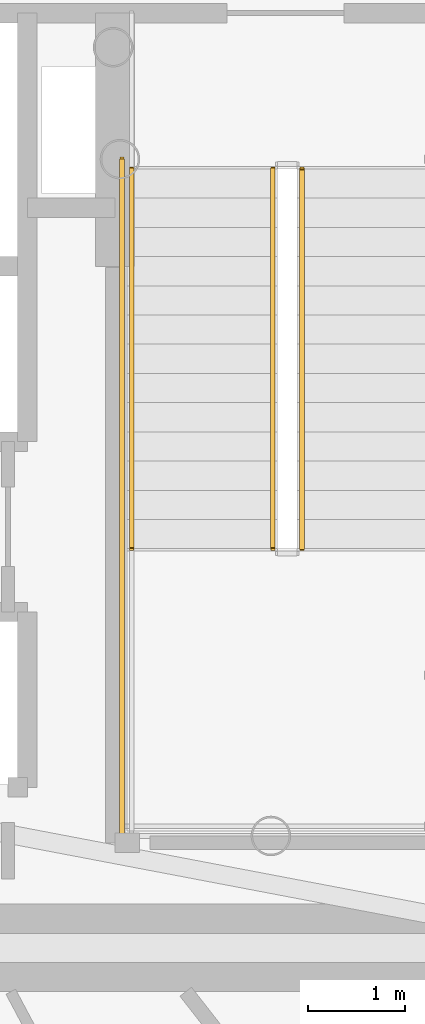
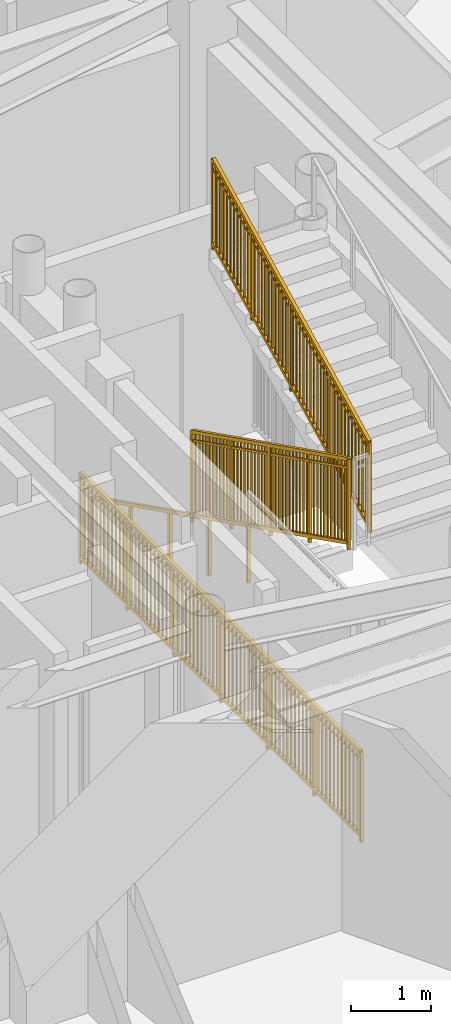
# One storey, part 26 of 28: 4 railings.
"""IFC4 building model written with IfcOpenShell, lengths in metres."""

from ifc_helpers import new_model, si_unit, direction, frame, origin, origin_2d, place, context, subcontext, project, spatial, rectangle, extrude, source, transform, mapped, material, type_object, element, save


model = new_model("IFC4")

# Units and contexts
model_context = context("Model", 3, precision=1e-05, world=origin(), true_north=direction((0.0, 1.0)))
body_context = subcontext(model_context, "Body", "Model", "MODEL_VIEW")
ifc_project = project(units=[si_unit("LENGTHUNIT", "METRE"), si_unit("AREAUNIT", "SQUARE_METRE"), si_unit("VOLUMEUNIT", "CUBIC_METRE"), si_unit("PLANEANGLEUNIT", "RADIAN"), si_unit("MASSUNIT", "GRAM", prefix="KILO")], contexts=[model_context])

# Site, building, storey
site_placement = place(None, origin())
site = spatial("IfcSite", under=ifc_project, at=site_placement, CompositionType="ELEMENT")
building_placement = place(site_placement, origin())
building = spatial("IfcBuilding", under=site, at=building_placement, Name="Linh Dai School and Residence Tower", CompositionType="ELEMENT")
storey_placement = place(building_placement, frame((0.0, 0.0, 57.60009765625)))
storey = spatial("IfcBuildingStorey", under=building, at=storey_placement, Name="L13", CompositionType="ELEMENT", Elevation=57.60009765625)

# Railings
ifc_material_1 = material(Name="Structural Steel S355JR", Category="steel")
railing_type_1 = type_object("IfcRailingType", Name="RL-ST-GUARD-1400", PredefinedType="GUARDRAIL", material=ifc_material_1)
shared_shape_1 = source(origin(), body_context, "Body", "SweptSolid", [
    extrude(rectangle(XDim=0.048095703125, YDim=0.048095703125, at=origin_2d()), frame((0.0, 0.0, 1.3759765625), z_axis=(0.0, -1.0, 0.0), x_axis=(1.0, 0.0, 0.0)), (0.0, 0.0, 1.0), 7.0),
    extrude(rectangle(XDim=0.048095703125, YDim=0.048095703125, at=origin_2d()), frame((0.0, 0.0, 0.10009765625), z_axis=(0.0, -1.0, 0.0), x_axis=(1.0, 0.0, 0.0)), (0.0, 0.0, 1.0), 7.0),
    extrude(rectangle(XDim=0.030029296875, YDim=0.030029296875, at=origin_2d()), frame((0.0, 0.0, 1.239990234375), z_axis=(0.0, -1.0, 0.0), x_axis=(1.0, 0.0, 0.0)), (0.0, 0.0, 1.0), 7.0),
    extrude(rectangle(XDim=0.02001953125, YDim=0.02001953125, at=origin_2d()), frame((0.0, -0.09716796875, 0.10009765625)), (0.0, 0.0, 1.0), 1.251708984375),
    extrude(rectangle(XDim=0.02001953125, YDim=0.02001953125, at=origin_2d()), frame((0.0, -0.1943359375, 0.10009765625)), (0.0, 0.0, 1.0), 1.251708984375),
    extrude(rectangle(XDim=0.02001953125, YDim=0.02001953125, at=origin_2d()), frame((0.0, -0.291748046875, 0.10009765625)), (0.0, 0.0, 1.0), 1.251708984375),
    extrude(rectangle(XDim=0.02001953125, YDim=0.02001953125, at=origin_2d()), frame((0.0, -0.388916015625, 0.10009765625)), (0.0, 0.0, 1.0), 1.251708984375),
    extrude(rectangle(XDim=0.02001953125, YDim=0.02001953125, at=origin_2d()), frame((0.0, -0.486083984375, 0.10009765625)), (0.0, 0.0, 1.0), 1.251708984375),
    extrude(rectangle(XDim=0.02001953125, YDim=0.02001953125, at=origin_2d()), frame((0.0, -0.583251953125, 0.10009765625)), (0.0, 0.0, 1.0), 1.251708984375),
    extrude(rectangle(XDim=0.02001953125, YDim=0.02001953125, at=origin_2d()), frame((0.0, -0.6806640625, 0.10009765625)), (0.0, 0.0, 1.0), 1.251708984375),
    extrude(rectangle(XDim=0.02001953125, YDim=0.02001953125, at=origin_2d()), frame((0.0, -0.77783203125, 0.10009765625)), (0.0, 0.0, 1.0), 1.251708984375),
    extrude(rectangle(XDim=0.02001953125, YDim=0.02001953125, at=origin_2d()), frame((0.0, -0.875, 0.10009765625)), (0.0, 0.0, 1.0), 1.251708984375),
    extrude(rectangle(XDim=0.02001953125, YDim=0.02001953125, at=origin_2d()), frame((0.0, -0.97216796875, 0.10009765625)), (0.0, 0.0, 1.0), 1.251708984375),
    extrude(rectangle(XDim=0.02001953125, YDim=0.02001953125, at=origin_2d()), frame((0.0, -1.0693359375, 0.10009765625)), (0.0, 0.0, 1.0), 1.251708984375),
    extrude(rectangle(XDim=0.02001953125, YDim=0.02001953125, at=origin_2d()), frame((0.0, -1.263916015625, 0.10009765625)), (0.0, 0.0, 1.0), 1.251708984375),
    extrude(rectangle(XDim=0.02001953125, YDim=0.02001953125, at=origin_2d()), frame((0.0, -1.361083984375, 0.10009765625)), (0.0, 0.0, 1.0), 1.251708984375),
    extrude(rectangle(XDim=0.02001953125, YDim=0.02001953125, at=origin_2d()), frame((0.0, -1.458251953125, 0.10009765625)), (0.0, 0.0, 1.0), 1.251708984375),
    extrude(rectangle(XDim=0.02001953125, YDim=0.02001953125, at=origin_2d()), frame((0.0, -1.5556640625, 0.10009765625)), (0.0, 0.0, 1.0), 1.251708984375),
    extrude(rectangle(XDim=0.02001953125, YDim=0.02001953125, at=origin_2d()), frame((0.0, -1.65283203125, 0.10009765625)), (0.0, 0.0, 1.0), 1.251708984375),
    extrude(rectangle(XDim=0.02001953125, YDim=0.02001953125, at=origin_2d()), frame((0.0, -1.75, 0.10009765625)), (0.0, 0.0, 1.0), 1.251708984375),
    extrude(rectangle(XDim=0.02001953125, YDim=0.02001953125, at=origin_2d()), frame((0.0, -1.84716796875, 0.10009765625)), (0.0, 0.0, 1.0), 1.251708984375),
    extrude(rectangle(XDim=0.02001953125, YDim=0.02001953125, at=origin_2d()), frame((0.0, -1.9443359375, 0.10009765625)), (0.0, 0.0, 1.0), 1.251708984375),
    extrude(rectangle(XDim=0.02001953125, YDim=0.02001953125, at=origin_2d()), frame((0.0, -2.041748046875, 0.10009765625)), (0.0, 0.0, 1.0), 1.251708984375),
    extrude(rectangle(XDim=0.02001953125, YDim=0.02001953125, at=origin_2d()), frame((0.0, -2.138916015625, 0.10009765625)), (0.0, 0.0, 1.0), 1.251708984375),
    extrude(rectangle(XDim=0.02001953125, YDim=0.02001953125, at=origin_2d()), frame((0.0, -2.236083984375, 0.10009765625)), (0.0, 0.0, 1.0), 1.251708984375),
    extrude(rectangle(XDim=0.02001953125, YDim=0.02001953125, at=origin_2d()), frame((0.0, -2.4306640625, 0.10009765625)), (0.0, 0.0, 1.0), 1.251708984375),
    extrude(rectangle(XDim=0.02001953125, YDim=0.02001953125, at=origin_2d()), frame((0.0, -2.52783203125, 0.10009765625)), (0.0, 0.0, 1.0), 1.251708984375),
    extrude(rectangle(XDim=0.02001953125, YDim=0.02001953125, at=origin_2d()), frame((0.0, -2.625, 0.10009765625)), (0.0, 0.0, 1.0), 1.251708984375),
    extrude(rectangle(XDim=0.02001953125, YDim=0.02001953125, at=origin_2d()), frame((0.0, -2.72216796875, 0.10009765625)), (0.0, 0.0, 1.0), 1.251708984375),
    extrude(rectangle(XDim=0.02001953125, YDim=0.02001953125, at=origin_2d()), frame((0.0, -2.8193359375, 0.10009765625)), (0.0, 0.0, 1.0), 1.251708984375),
    extrude(rectangle(XDim=0.02001953125, YDim=0.02001953125, at=origin_2d()), frame((0.0, -2.916748046875, 0.10009765625)), (0.0, 0.0, 1.0), 1.251708984375),
    extrude(rectangle(XDim=0.02001953125, YDim=0.02001953125, at=origin_2d()), frame((0.0, -3.013916015625, 0.10009765625)), (0.0, 0.0, 1.0), 1.251708984375),
    extrude(rectangle(XDim=0.02001953125, YDim=0.02001953125, at=origin_2d()), frame((0.0, -3.111083984375, 0.10009765625)), (0.0, 0.0, 1.0), 1.251708984375),
    extrude(rectangle(XDim=0.02001953125, YDim=0.02001953125, at=origin_2d()), frame((0.0, -3.208251953125, 0.10009765625)), (0.0, 0.0, 1.0), 1.251708984375),
    extrude(rectangle(XDim=0.02001953125, YDim=0.02001953125, at=origin_2d()), frame((0.0, -3.3056640625, 0.10009765625)), (0.0, 0.0, 1.0), 1.251708984375),
    extrude(rectangle(XDim=0.02001953125, YDim=0.02001953125, at=origin_2d()), frame((0.0, -3.40283203125, 0.10009765625)), (0.0, 0.0, 1.0), 1.251708984375),
    extrude(rectangle(XDim=0.02001953125, YDim=0.02001953125, at=origin_2d()), frame((0.0, -3.59716796875, 0.10009765625)), (0.0, 0.0, 1.0), 1.251708984375),
    extrude(rectangle(XDim=0.02001953125, YDim=0.02001953125, at=origin_2d()), frame((0.0, -3.6943359375, 0.10009765625)), (0.0, 0.0, 1.0), 1.251708984375),
    extrude(rectangle(XDim=0.02001953125, YDim=0.02001953125, at=origin_2d()), frame((0.0, -3.791748046875, 0.10009765625)), (0.0, 0.0, 1.0), 1.251708984375),
    extrude(rectangle(XDim=0.02001953125, YDim=0.02001953125, at=origin_2d()), frame((0.0, -3.888916015625, 0.10009765625)), (0.0, 0.0, 1.0), 1.251708984375),
    extrude(rectangle(XDim=0.02001953125, YDim=0.02001953125, at=origin_2d()), frame((0.0, -3.986083984375, 0.10009765625)), (0.0, 0.0, 1.0), 1.251708984375),
    extrude(rectangle(XDim=0.02001953125, YDim=0.02001953125, at=origin_2d()), frame((0.0, -4.083251953125, 0.10009765625)), (0.0, 0.0, 1.0), 1.251708984375),
    extrude(rectangle(XDim=0.02001953125, YDim=0.02001953125, at=origin_2d()), frame((0.0, -4.1806640625, 0.10009765625)), (0.0, 0.0, 1.0), 1.251708984375),
    extrude(rectangle(XDim=0.02001953125, YDim=0.02001953125, at=origin_2d()), frame((0.0, -4.27783203125, 0.10009765625)), (0.0, 0.0, 1.0), 1.251708984375),
    extrude(rectangle(XDim=0.02001953125, YDim=0.02001953125, at=origin_2d()), frame((0.0, -4.375, 0.10009765625)), (0.0, 0.0, 1.0), 1.251708984375),
    extrude(rectangle(XDim=0.02001953125, YDim=0.02001953125, at=origin_2d()), frame((0.0, -4.47216796875, 0.10009765625)), (0.0, 0.0, 1.0), 1.251708984375),
    extrude(rectangle(XDim=0.02001953125, YDim=0.02001953125, at=origin_2d()), frame((0.0, -4.5693359375, 0.10009765625)), (0.0, 0.0, 1.0), 1.251708984375),
    extrude(rectangle(XDim=0.02001953125, YDim=0.02001953125, at=origin_2d()), frame((0.0, -4.763916015625, 0.10009765625)), (0.0, 0.0, 1.0), 1.251708984375),
    extrude(rectangle(XDim=0.02001953125, YDim=0.02001953125, at=origin_2d()), frame((0.0, -4.861083984375, 0.10009765625)), (0.0, 0.0, 1.0), 1.251708984375),
    extrude(rectangle(XDim=0.02001953125, YDim=0.02001953125, at=origin_2d()), frame((0.0, -4.958251953125, 0.10009765625)), (0.0, 0.0, 1.0), 1.251708984375),
    extrude(rectangle(XDim=0.02001953125, YDim=0.02001953125, at=origin_2d()), frame((0.0, -5.0556640625, 0.10009765625)), (0.0, 0.0, 1.0), 1.251708984375),
    extrude(rectangle(XDim=0.02001953125, YDim=0.02001953125, at=origin_2d()), frame((0.0, -5.15283203125, 0.10009765625)), (0.0, 0.0, 1.0), 1.251708984375),
    extrude(rectangle(XDim=0.02001953125, YDim=0.02001953125, at=origin_2d()), frame((0.0, -5.25, 0.10009765625)), (0.0, 0.0, 1.0), 1.251708984375),
    extrude(rectangle(XDim=0.02001953125, YDim=0.02001953125, at=origin_2d()), frame((0.0, -5.34716796875, 0.10009765625)), (0.0, 0.0, 1.0), 1.251708984375),
    extrude(rectangle(XDim=0.02001953125, YDim=0.02001953125, at=origin_2d()), frame((0.0, -5.4443359375, 0.10009765625)), (0.0, 0.0, 1.0), 1.251708984375),
    extrude(rectangle(XDim=0.02001953125, YDim=0.02001953125, at=origin_2d()), frame((0.0, -5.541748046875, 0.10009765625)), (0.0, 0.0, 1.0), 1.251708984375),
    extrude(rectangle(XDim=0.02001953125, YDim=0.02001953125, at=origin_2d()), frame((0.0, -5.638916015625, 0.10009765625)), (0.0, 0.0, 1.0), 1.251708984375),
    extrude(rectangle(XDim=0.02001953125, YDim=0.02001953125, at=origin_2d()), frame((0.0, -5.736083984375, 0.10009765625)), (0.0, 0.0, 1.0), 1.251708984375),
    extrude(rectangle(XDim=0.02001953125, YDim=0.02001953125, at=origin_2d()), frame((0.0, -5.9306640625, 0.10009765625)), (0.0, 0.0, 1.0), 1.251708984375),
    extrude(rectangle(XDim=0.02001953125, YDim=0.02001953125, at=origin_2d()), frame((0.0, -6.02783203125, 0.10009765625)), (0.0, 0.0, 1.0), 1.251708984375),
    extrude(rectangle(XDim=0.02001953125, YDim=0.02001953125, at=origin_2d()), frame((0.0, -6.125, 0.10009765625)), (0.0, 0.0, 1.0), 1.251708984375),
    extrude(rectangle(XDim=0.02001953125, YDim=0.02001953125, at=origin_2d()), frame((0.0, -6.22216796875, 0.10009765625)), (0.0, 0.0, 1.0), 1.251708984375),
    extrude(rectangle(XDim=0.02001953125, YDim=0.02001953125, at=origin_2d()), frame((0.0, -6.3193359375, 0.10009765625)), (0.0, 0.0, 1.0), 1.251708984375),
    extrude(rectangle(XDim=0.02001953125, YDim=0.02001953125, at=origin_2d()), frame((0.0, -6.416748046875, 0.10009765625)), (0.0, 0.0, 1.0), 1.251708984375),
    extrude(rectangle(XDim=0.02001953125, YDim=0.02001953125, at=origin_2d()), frame((0.0, -6.513916015625, 0.10009765625)), (0.0, 0.0, 1.0), 1.251708984375),
    extrude(rectangle(XDim=0.02001953125, YDim=0.02001953125, at=origin_2d()), frame((0.0, -6.611083984375, 0.10009765625)), (0.0, 0.0, 1.0), 1.251708984375),
    extrude(rectangle(XDim=0.02001953125, YDim=0.02001953125, at=origin_2d()), frame((0.0, -6.708251953125, 0.10009765625)), (0.0, 0.0, 1.0), 1.251708984375),
    extrude(rectangle(XDim=0.02001953125, YDim=0.02001953125, at=origin_2d()), frame((0.0, -6.8056640625, 0.10009765625)), (0.0, 0.0, 1.0), 1.251708984375),
    extrude(rectangle(XDim=0.02001953125, YDim=0.02001953125, at=origin_2d()), frame((0.0, -6.90283203125, 0.10009765625)), (0.0, 0.0, 1.0), 1.251708984375),
    extrude(rectangle(XDim=0.0419921875, YDim=0.0419921875, at=origin_2d()), origin(), (0.0, 0.0, 1.0), 1.3759765625),
    extrude(rectangle(XDim=0.0419921875, YDim=0.0419921875, at=origin_2d()), frame((0.0, -1.166748046875, 0.0)), (0.0, 0.0, 1.0), 1.3759765625),
    extrude(rectangle(XDim=0.0419921875, YDim=0.0419921875, at=origin_2d()), frame((0.0, -2.333251953125, 0.0)), (0.0, 0.0, 1.0), 1.3759765625),
    extrude(rectangle(XDim=0.0419921875, YDim=0.0419921875, at=origin_2d()), frame((0.0, -3.5, 0.0)), (0.0, 0.0, 1.0), 1.3759765625),
    extrude(rectangle(XDim=0.0419921875, YDim=0.0419921875, at=origin_2d()), frame((0.0, -4.666748046875, 0.0)), (0.0, 0.0, 1.0), 1.3759765625),
    extrude(rectangle(XDim=0.0419921875, YDim=0.0419921875, at=origin_2d()), frame((0.0, -5.833251953125, 0.0)), (0.0, 0.0, 1.0), 1.3759765625),
    extrude(rectangle(XDim=0.0419921875, YDim=0.0419921875, at=origin_2d()), frame((0.0, -7.0, 0.0)), (0.0, 0.0, 1.0), 1.3759765625),
])
railing_1_placement = place(storey_placement, frame((40.969970703125, 28.35009765625, 0.0)))
element("IfcRailing", 1, at=railing_1_placement, inside=storey, type_object=railing_type_1, Name="L13 ST2 stair guard 10", PredefinedType="GUARDRAIL", context=body_context, shape_type="MappedRepresentation", body=[
    mapped(shared_shape_1, transform((0.0, 0.0, 0.0), x_axis=(1.0, 0.0, 0.0), y_axis=(0.0, 1.0, 0.0), z_axis=(0.0, 0.0, 1.0), scale=1.0)),
])
shared_shape_2 = source(origin(), body_context, "Body", "SweptSolid", [
    extrude(rectangle(XDim=0.048095703125, YDim=0.048095703125, at=origin_2d()), frame((0.0, 0.0, 1.3759765625), z_axis=(0.0, 0.894427191, 0.4472135955), x_axis=(-1.0, 0.0, 0.0)), (0.0, 0.0, 1.0), 4.360107421875),
    extrude(rectangle(XDim=0.048095703125, YDim=0.048095703125, at=origin_2d()), frame((0.0, 0.0, 0.10009765625), z_axis=(0.0, 0.894427191, 0.4472135955), x_axis=(-1.0, 0.0, 0.0)), (0.0, 0.0, 1.0), 4.360107421875),
    extrude(rectangle(XDim=0.030029296875, YDim=0.030029296875, at=origin_2d()), frame((0.0, 0.0, 1.239990234375), z_axis=(0.0, 0.894427191, 0.4472135955), x_axis=(-1.0, 0.0, 0.0)), (0.0, 0.0, 1.0), 4.360107421875),
    extrude(rectangle(XDim=0.02001953125, YDim=0.02001953125, at=origin_2d()), frame((0.0, 0.086669921875, 0.143310546875)), (0.0, 0.0, 1.0), 1.251708984375),
    extrude(rectangle(XDim=0.02001953125, YDim=0.02001953125, at=origin_2d()), frame((0.0, 0.17333984375, 0.186767578125)), (0.0, 0.0, 1.0), 1.251708984375),
    extrude(rectangle(XDim=0.02001953125, YDim=0.02001953125, at=origin_2d()), frame((0.0, 0.260009765625, 0.22998046875)), (0.0, 0.0, 1.0), 1.251708984375),
    extrude(rectangle(XDim=0.02001953125, YDim=0.02001953125, at=origin_2d()), frame((0.0, 0.3466796875, 0.2734375)), (0.0, 0.0, 1.0), 1.251708984375),
    extrude(rectangle(XDim=0.02001953125, YDim=0.02001953125, at=origin_2d()), frame((0.0, 0.433349609375, 0.316650390625)), (0.0, 0.0, 1.0), 1.251708984375),
    extrude(rectangle(XDim=0.02001953125, YDim=0.02001953125, at=origin_2d()), frame((0.0, 0.52001953125, 0.360107421875)), (0.0, 0.0, 1.0), 1.251708984375),
    extrude(rectangle(XDim=0.02001953125, YDim=0.02001953125, at=origin_2d()), frame((0.0, 0.606689453125, 0.4033203125)), (0.0, 0.0, 1.0), 1.251708984375),
    extrude(rectangle(XDim=0.02001953125, YDim=0.02001953125, at=origin_2d()), frame((0.0, 0.693359375, 0.44677734375)), (0.0, 0.0, 1.0), 1.251708984375),
    extrude(rectangle(XDim=0.02001953125, YDim=0.02001953125, at=origin_2d()), frame((0.0, 0.780029296875, 0.489990234375)), (0.0, 0.0, 1.0), 1.251708984375),
    extrude(rectangle(XDim=0.02001953125, YDim=0.02001953125, at=origin_2d()), frame((0.0, 0.86669921875, 0.533447265625)), (0.0, 0.0, 1.0), 1.251708984375),
    extrude(rectangle(XDim=0.02001953125, YDim=0.02001953125, at=origin_2d()), frame((0.0, 1.0400390625, 0.6201171875)), (0.0, 0.0, 1.0), 1.251708984375),
    extrude(rectangle(XDim=0.02001953125, YDim=0.02001953125, at=origin_2d()), frame((0.0, 1.126708984375, 0.663330078125)), (0.0, 0.0, 1.0), 1.251708984375),
    extrude(rectangle(XDim=0.02001953125, YDim=0.02001953125, at=origin_2d()), frame((0.0, 1.21337890625, 0.706787109375)), (0.0, 0.0, 1.0), 1.251708984375),
    extrude(rectangle(XDim=0.02001953125, YDim=0.02001953125, at=origin_2d()), frame((0.0, 1.300048828125, 0.75)), (0.0, 0.0, 1.0), 1.251708984375),
    extrude(rectangle(XDim=0.02001953125, YDim=0.02001953125, at=origin_2d()), frame((0.0, 1.38671875, 0.79345703125)), (0.0, 0.0, 1.0), 1.251708984375),
    extrude(rectangle(XDim=0.02001953125, YDim=0.02001953125, at=origin_2d()), frame((0.0, 1.473388671875, 0.836669921875)), (0.0, 0.0, 1.0), 1.251708984375),
    extrude(rectangle(XDim=0.02001953125, YDim=0.02001953125, at=origin_2d()), frame((0.0, 1.56005859375, 0.880126953125)), (0.0, 0.0, 1.0), 1.251708984375),
    extrude(rectangle(XDim=0.02001953125, YDim=0.02001953125, at=origin_2d()), frame((0.0, 1.646728515625, 0.92333984375)), (0.0, 0.0, 1.0), 1.251708984375),
    extrude(rectangle(XDim=0.02001953125, YDim=0.02001953125, at=origin_2d()), frame((0.0, 1.7333984375, 0.966796875)), (0.0, 0.0, 1.0), 1.251708984375),
    extrude(rectangle(XDim=0.02001953125, YDim=0.02001953125, at=origin_2d()), frame((0.0, 1.820068359375, 1.010009765625)), (0.0, 0.0, 1.0), 1.251708984375),
    extrude(rectangle(XDim=0.02001953125, YDim=0.02001953125, at=origin_2d()), frame((0.0, 1.90673828125, 1.053466796875)), (0.0, 0.0, 1.0), 1.251708984375),
    extrude(rectangle(XDim=0.02001953125, YDim=0.02001953125, at=origin_2d()), frame((0.0, 1.9931640625, 1.0966796875)), (0.0, 0.0, 1.0), 1.251708984375),
    extrude(rectangle(XDim=0.02001953125, YDim=0.02001953125, at=origin_2d()), frame((0.0, 2.079833984375, 1.14013671875)), (0.0, 0.0, 1.0), 1.251708984375),
    extrude(rectangle(XDim=0.02001953125, YDim=0.02001953125, at=origin_2d()), frame((0.0, 2.16650390625, 1.183349609375)), (0.0, 0.0, 1.0), 1.251708984375),
    extrude(rectangle(XDim=0.02001953125, YDim=0.02001953125, at=origin_2d()), frame((0.0, 2.253173828125, 1.226806640625)), (0.0, 0.0, 1.0), 1.251708984375),
    extrude(rectangle(XDim=0.02001953125, YDim=0.02001953125, at=origin_2d()), frame((0.0, 2.33984375, 1.27001953125)), (0.0, 0.0, 1.0), 1.251708984375),
    extrude(rectangle(XDim=0.02001953125, YDim=0.02001953125, at=origin_2d()), frame((0.0, 2.426513671875, 1.3134765625)), (0.0, 0.0, 1.0), 1.251708984375),
    extrude(rectangle(XDim=0.02001953125, YDim=0.02001953125, at=origin_2d()), frame((0.0, 2.51318359375, 1.356689453125)), (0.0, 0.0, 1.0), 1.251708984375),
    extrude(rectangle(XDim=0.02001953125, YDim=0.02001953125, at=origin_2d()), frame((0.0, 2.599853515625, 1.400146484375)), (0.0, 0.0, 1.0), 1.251708984375),
    extrude(rectangle(XDim=0.02001953125, YDim=0.02001953125, at=origin_2d()), frame((0.0, 2.6865234375, 1.443359375)), (0.0, 0.0, 1.0), 1.251708984375),
    extrude(rectangle(XDim=0.02001953125, YDim=0.02001953125, at=origin_2d()), frame((0.0, 2.773193359375, 1.48681640625)), (0.0, 0.0, 1.0), 1.251708984375),
    extrude(rectangle(XDim=0.02001953125, YDim=0.02001953125, at=origin_2d()), frame((0.0, 2.85986328125, 1.530029296875)), (0.0, 0.0, 1.0), 1.251708984375),
    extrude(rectangle(XDim=0.02001953125, YDim=0.02001953125, at=origin_2d()), frame((0.0, 3.033203125, 1.61669921875)), (0.0, 0.0, 1.0), 1.251708984375),
    extrude(rectangle(XDim=0.02001953125, YDim=0.02001953125, at=origin_2d()), frame((0.0, 3.119873046875, 1.66015625)), (0.0, 0.0, 1.0), 1.251708984375),
    extrude(rectangle(XDim=0.02001953125, YDim=0.02001953125, at=origin_2d()), frame((0.0, 3.20654296875, 1.703369140625)), (0.0, 0.0, 1.0), 1.251708984375),
    extrude(rectangle(XDim=0.02001953125, YDim=0.02001953125, at=origin_2d()), frame((0.0, 3.293212890625, 1.746826171875)), (0.0, 0.0, 1.0), 1.251708984375),
    extrude(rectangle(XDim=0.02001953125, YDim=0.02001953125, at=origin_2d()), frame((0.0, 3.3798828125, 1.7900390625)), (0.0, 0.0, 1.0), 1.251708984375),
    extrude(rectangle(XDim=0.02001953125, YDim=0.02001953125, at=origin_2d()), frame((0.0, 3.466552734375, 1.83349609375)), (0.0, 0.0, 1.0), 1.251708984375),
    extrude(rectangle(XDim=0.02001953125, YDim=0.02001953125, at=origin_2d()), frame((0.0, 3.55322265625, 1.876708984375)), (0.0, 0.0, 1.0), 1.251708984375),
    extrude(rectangle(XDim=0.02001953125, YDim=0.02001953125, at=origin_2d()), frame((0.0, 3.639892578125, 1.920166015625)), (0.0, 0.0, 1.0), 1.251708984375),
    extrude(rectangle(XDim=0.02001953125, YDim=0.02001953125, at=origin_2d()), frame((0.0, 3.7265625, 1.96337890625)), (0.0, 0.0, 1.0), 1.251708984375),
    extrude(rectangle(XDim=0.02001953125, YDim=0.02001953125, at=origin_2d()), frame((0.0, 3.813232421875, 2.0068359375)), (0.0, 0.0, 1.0), 1.251708984375),
    extrude(rectangle(XDim=0.0419921875, YDim=0.0419921875, at=origin_2d()), origin(), (0.0, 0.0, 1.0), 1.3759765625),
    extrude(rectangle(XDim=0.0419921875, YDim=0.0419921875, at=origin_2d()), frame((0.0, 0.97509765625, 0.487548828125)), (0.0, 0.0, 1.0), 1.3759765625),
    extrude(rectangle(XDim=0.0419921875, YDim=0.0419921875, at=origin_2d()), frame((0.0, 1.949951171875, 0.97509765625)), (0.0, 0.0, 1.0), 1.3759765625),
    extrude(rectangle(XDim=0.0419921875, YDim=0.0419921875, at=origin_2d()), frame((0.0, 2.9248046875, 1.46240234375)), (0.0, 0.0, 1.0), 1.3759765625),
    extrude(rectangle(XDim=0.0419921875, YDim=0.0419921875, at=origin_2d()), frame((0.0, 3.89990234375, 1.949951171875)), (0.0, 0.0, 1.0), 1.3759765625),
])
railing_2_placement = place(storey_placement, frame((42.820068359375, 24.35009765625, 2.25)))
element("IfcRailing", 2, at=railing_2_placement, inside=storey, type_object=railing_type_1, Name="L13 ST2 stair guard 6", PredefinedType="GUARDRAIL", context=body_context, shape_type="MappedRepresentation", body=[
    mapped(shared_shape_2, transform((0.0, 0.0, 0.0), x_axis=(1.0, 0.0, 0.0), y_axis=(0.0, 1.0, 0.0), z_axis=(0.0, 0.0, 1.0), scale=1.0)),
])
shared_shape_3 = source(origin(), body_context, "Body", "SweptSolid", [
    extrude(rectangle(XDim=0.048095703125, YDim=0.048095703125, at=origin_2d()), frame((0.0, 0.0, 1.3759765625), z_axis=(0.0, -0.894427191, 0.4472135955), x_axis=(1.0, 0.0, 0.0)), (0.0, 0.0, 1.0), 4.360107421875),
    extrude(rectangle(XDim=0.048095703125, YDim=0.048095703125, at=origin_2d()), frame((0.0, 0.0, 0.10009765625), z_axis=(0.0, -0.894427191, 0.4472135955), x_axis=(1.0, 0.0, 0.0)), (0.0, 0.0, 1.0), 4.360107421875),
    extrude(rectangle(XDim=0.030029296875, YDim=0.030029296875, at=origin_2d()), frame((0.0, 0.0, 1.239990234375), z_axis=(0.0, -0.894427191, 0.4472135955), x_axis=(1.0, 0.0, 0.0)), (0.0, 0.0, 1.0), 4.360107421875),
    extrude(rectangle(XDim=0.02001953125, YDim=0.02001953125, at=origin_2d()), frame((0.0, -0.086669921875, 0.143310546875)), (0.0, 0.0, 1.0), 1.251708984375),
    extrude(rectangle(XDim=0.02001953125, YDim=0.02001953125, at=origin_2d()), frame((0.0, -0.17333984375, 0.186767578125)), (0.0, 0.0, 1.0), 1.251708984375),
    extrude(rectangle(XDim=0.02001953125, YDim=0.02001953125, at=origin_2d()), frame((0.0, -0.260009765625, 0.22998046875)), (0.0, 0.0, 1.0), 1.251708984375),
    extrude(rectangle(XDim=0.02001953125, YDim=0.02001953125, at=origin_2d()), frame((0.0, -0.3466796875, 0.2734375)), (0.0, 0.0, 1.0), 1.251708984375),
    extrude(rectangle(XDim=0.02001953125, YDim=0.02001953125, at=origin_2d()), frame((0.0, -0.433349609375, 0.316650390625)), (0.0, 0.0, 1.0), 1.251708984375),
    extrude(rectangle(XDim=0.02001953125, YDim=0.02001953125, at=origin_2d()), frame((0.0, -0.52001953125, 0.360107421875)), (0.0, 0.0, 1.0), 1.251708984375),
    extrude(rectangle(XDim=0.02001953125, YDim=0.02001953125, at=origin_2d()), frame((0.0, -0.606689453125, 0.4033203125)), (0.0, 0.0, 1.0), 1.251708984375),
    extrude(rectangle(XDim=0.02001953125, YDim=0.02001953125, at=origin_2d()), frame((0.0, -0.693359375, 0.44677734375)), (0.0, 0.0, 1.0), 1.251708984375),
    extrude(rectangle(XDim=0.02001953125, YDim=0.02001953125, at=origin_2d()), frame((0.0, -0.780029296875, 0.489990234375)), (0.0, 0.0, 1.0), 1.251708984375),
    extrude(rectangle(XDim=0.02001953125, YDim=0.02001953125, at=origin_2d()), frame((0.0, -0.86669921875, 0.533447265625)), (0.0, 0.0, 1.0), 1.251708984375),
    extrude(rectangle(XDim=0.02001953125, YDim=0.02001953125, at=origin_2d()), frame((0.0, -1.0400390625, 0.6201171875)), (0.0, 0.0, 1.0), 1.251708984375),
    extrude(rectangle(XDim=0.02001953125, YDim=0.02001953125, at=origin_2d()), frame((0.0, -1.126708984375, 0.663330078125)), (0.0, 0.0, 1.0), 1.251708984375),
    extrude(rectangle(XDim=0.02001953125, YDim=0.02001953125, at=origin_2d()), frame((0.0, -1.21337890625, 0.706787109375)), (0.0, 0.0, 1.0), 1.251708984375),
    extrude(rectangle(XDim=0.02001953125, YDim=0.02001953125, at=origin_2d()), frame((0.0, -1.300048828125, 0.75)), (0.0, 0.0, 1.0), 1.251708984375),
    extrude(rectangle(XDim=0.02001953125, YDim=0.02001953125, at=origin_2d()), frame((0.0, -1.38671875, 0.79345703125)), (0.0, 0.0, 1.0), 1.251708984375),
    extrude(rectangle(XDim=0.02001953125, YDim=0.02001953125, at=origin_2d()), frame((0.0, -1.473388671875, 0.836669921875)), (0.0, 0.0, 1.0), 1.251708984375),
    extrude(rectangle(XDim=0.02001953125, YDim=0.02001953125, at=origin_2d()), frame((0.0, -1.56005859375, 0.880126953125)), (0.0, 0.0, 1.0), 1.251708984375),
    extrude(rectangle(XDim=0.02001953125, YDim=0.02001953125, at=origin_2d()), frame((0.0, -1.646728515625, 0.92333984375)), (0.0, 0.0, 1.0), 1.251708984375),
    extrude(rectangle(XDim=0.02001953125, YDim=0.02001953125, at=origin_2d()), frame((0.0, -1.7333984375, 0.966796875)), (0.0, 0.0, 1.0), 1.251708984375),
    extrude(rectangle(XDim=0.02001953125, YDim=0.02001953125, at=origin_2d()), frame((0.0, -1.820068359375, 1.010009765625)), (0.0, 0.0, 1.0), 1.251708984375),
    extrude(rectangle(XDim=0.02001953125, YDim=0.02001953125, at=origin_2d()), frame((0.0, -1.90673828125, 1.053466796875)), (0.0, 0.0, 1.0), 1.251708984375),
    extrude(rectangle(XDim=0.02001953125, YDim=0.02001953125, at=origin_2d()), frame((0.0, -1.9931640625, 1.0966796875)), (0.0, 0.0, 1.0), 1.251708984375),
    extrude(rectangle(XDim=0.02001953125, YDim=0.02001953125, at=origin_2d()), frame((0.0, -2.079833984375, 1.14013671875)), (0.0, 0.0, 1.0), 1.251708984375),
    extrude(rectangle(XDim=0.02001953125, YDim=0.02001953125, at=origin_2d()), frame((0.0, -2.16650390625, 1.183349609375)), (0.0, 0.0, 1.0), 1.251708984375),
    extrude(rectangle(XDim=0.02001953125, YDim=0.02001953125, at=origin_2d()), frame((0.0, -2.253173828125, 1.226806640625)), (0.0, 0.0, 1.0), 1.251708984375),
    extrude(rectangle(XDim=0.02001953125, YDim=0.02001953125, at=origin_2d()), frame((0.0, -2.33984375, 1.27001953125)), (0.0, 0.0, 1.0), 1.251708984375),
    extrude(rectangle(XDim=0.02001953125, YDim=0.02001953125, at=origin_2d()), frame((0.0, -2.426513671875, 1.3134765625)), (0.0, 0.0, 1.0), 1.251708984375),
    extrude(rectangle(XDim=0.02001953125, YDim=0.02001953125, at=origin_2d()), frame((0.0, -2.51318359375, 1.356689453125)), (0.0, 0.0, 1.0), 1.251708984375),
    extrude(rectangle(XDim=0.02001953125, YDim=0.02001953125, at=origin_2d()), frame((0.0, -2.599853515625, 1.400146484375)), (0.0, 0.0, 1.0), 1.251708984375),
    extrude(rectangle(XDim=0.02001953125, YDim=0.02001953125, at=origin_2d()), frame((0.0, -2.6865234375, 1.443359375)), (0.0, 0.0, 1.0), 1.251708984375),
    extrude(rectangle(XDim=0.02001953125, YDim=0.02001953125, at=origin_2d()), frame((0.0, -2.773193359375, 1.48681640625)), (0.0, 0.0, 1.0), 1.251708984375),
    extrude(rectangle(XDim=0.02001953125, YDim=0.02001953125, at=origin_2d()), frame((0.0, -2.85986328125, 1.530029296875)), (0.0, 0.0, 1.0), 1.251708984375),
    extrude(rectangle(XDim=0.02001953125, YDim=0.02001953125, at=origin_2d()), frame((0.0, -3.033203125, 1.61669921875)), (0.0, 0.0, 1.0), 1.251708984375),
    extrude(rectangle(XDim=0.02001953125, YDim=0.02001953125, at=origin_2d()), frame((0.0, -3.119873046875, 1.66015625)), (0.0, 0.0, 1.0), 1.251708984375),
    extrude(rectangle(XDim=0.02001953125, YDim=0.02001953125, at=origin_2d()), frame((0.0, -3.20654296875, 1.703369140625)), (0.0, 0.0, 1.0), 1.251708984375),
    extrude(rectangle(XDim=0.02001953125, YDim=0.02001953125, at=origin_2d()), frame((0.0, -3.293212890625, 1.746826171875)), (0.0, 0.0, 1.0), 1.251708984375),
    extrude(rectangle(XDim=0.02001953125, YDim=0.02001953125, at=origin_2d()), frame((0.0, -3.3798828125, 1.7900390625)), (0.0, 0.0, 1.0), 1.251708984375),
    extrude(rectangle(XDim=0.02001953125, YDim=0.02001953125, at=origin_2d()), frame((0.0, -3.466552734375, 1.83349609375)), (0.0, 0.0, 1.0), 1.251708984375),
    extrude(rectangle(XDim=0.02001953125, YDim=0.02001953125, at=origin_2d()), frame((0.0, -3.55322265625, 1.876708984375)), (0.0, 0.0, 1.0), 1.251708984375),
    extrude(rectangle(XDim=0.02001953125, YDim=0.02001953125, at=origin_2d()), frame((0.0, -3.639892578125, 1.920166015625)), (0.0, 0.0, 1.0), 1.251708984375),
    extrude(rectangle(XDim=0.02001953125, YDim=0.02001953125, at=origin_2d()), frame((0.0, -3.7265625, 1.96337890625)), (0.0, 0.0, 1.0), 1.251708984375),
    extrude(rectangle(XDim=0.02001953125, YDim=0.02001953125, at=origin_2d()), frame((0.0, -3.813232421875, 2.0068359375)), (0.0, 0.0, 1.0), 1.251708984375),
    extrude(rectangle(XDim=0.0419921875, YDim=0.0419921875, at=origin_2d()), origin(), (0.0, 0.0, 1.0), 1.3759765625),
    extrude(rectangle(XDim=0.0419921875, YDim=0.0419921875, at=origin_2d()), frame((0.0, -0.97509765625, 0.487548828125)), (0.0, 0.0, 1.0), 1.3759765625),
    extrude(rectangle(XDim=0.0419921875, YDim=0.0419921875, at=origin_2d()), frame((0.0, -1.949951171875, 0.97509765625)), (0.0, 0.0, 1.0), 1.3759765625),
    extrude(rectangle(XDim=0.0419921875, YDim=0.0419921875, at=origin_2d()), frame((0.0, -2.9248046875, 1.46240234375)), (0.0, 0.0, 1.0), 1.3759765625),
    extrude(rectangle(XDim=0.0419921875, YDim=0.0419921875, at=origin_2d()), frame((0.0, -3.89990234375, 1.949951171875)), (0.0, 0.0, 1.0), 1.3759765625),
])
railing_3_placement = place(storey_placement, frame((42.52001953125, 28.25, 0.14990234375)))
element("IfcRailing", 3, at=railing_3_placement, inside=storey, type_object=railing_type_1, Name="L13 ST2 stair guard 1", PredefinedType="GUARDRAIL", context=body_context, shape_type="MappedRepresentation", body=[
    mapped(shared_shape_3, transform((0.0, 0.0, 0.0), x_axis=(1.0, 0.0, 0.0), y_axis=(0.0, 1.0, 0.0), z_axis=(0.0, 0.0, 1.0), scale=1.0)),
])
ifc_material_2 = material(Name="Brushed Stainless Steel Handrail", Category="steel")
railing_type_2 = type_object("IfcRailingType", Name="RL-ST-HANDRAIL-900", PredefinedType="HANDRAIL", material=ifc_material_2)
shared_shape_4 = source(origin(), body_context, "Body", "SweptSolid", [
    extrude(rectangle(XDim=0.048095703125, YDim=0.048095703125, at=origin_2d()), frame((0.0, 0.0, 0.8759765625), z_axis=(0.0, -0.894427191, 0.4472135955), x_axis=(1.0, 0.0, 0.0)), (0.0, 0.0, 1.0), 4.360107421875),
    extrude(rectangle(XDim=0.0419921875, YDim=0.0419921875, at=origin_2d()), origin(), (0.0, 0.0, 1.0), 0.8759765625),
    extrude(rectangle(XDim=0.0419921875, YDim=0.0419921875, at=origin_2d()), frame((0.0, -0.97509765625, 0.487548828125)), (0.0, 0.0, 1.0), 0.8759765625),
    extrude(rectangle(XDim=0.0419921875, YDim=0.0419921875, at=origin_2d()), frame((0.0, -1.949951171875, 0.97509765625)), (0.0, 0.0, 1.0), 0.8759765625),
    extrude(rectangle(XDim=0.0419921875, YDim=0.0419921875, at=origin_2d()), frame((0.0, -2.9248046875, 1.46240234375)), (0.0, 0.0, 1.0), 0.8759765625),
    extrude(rectangle(XDim=0.0419921875, YDim=0.0419921875, at=origin_2d()), frame((0.0, -3.89990234375, 1.949951171875)), (0.0, 0.0, 1.0), 0.8759765625),
])
railing_4_placement = place(storey_placement, frame((41.070068359375, 28.25, 0.14990234375)))
element("IfcRailing", 4, at=railing_4_placement, inside=storey, type_object=railing_type_2, Name="L13 ST2 stair handrail 1", PredefinedType="HANDRAIL", context=body_context, shape_type="MappedRepresentation", body=[
    mapped(shared_shape_4, transform((0.0, 0.0, 0.0), x_axis=(1.0, 0.0, 0.0), y_axis=(0.0, 1.0, 0.0), z_axis=(0.0, 0.0, 1.0), scale=1.0)),
])

save(model, "model.ifc")
